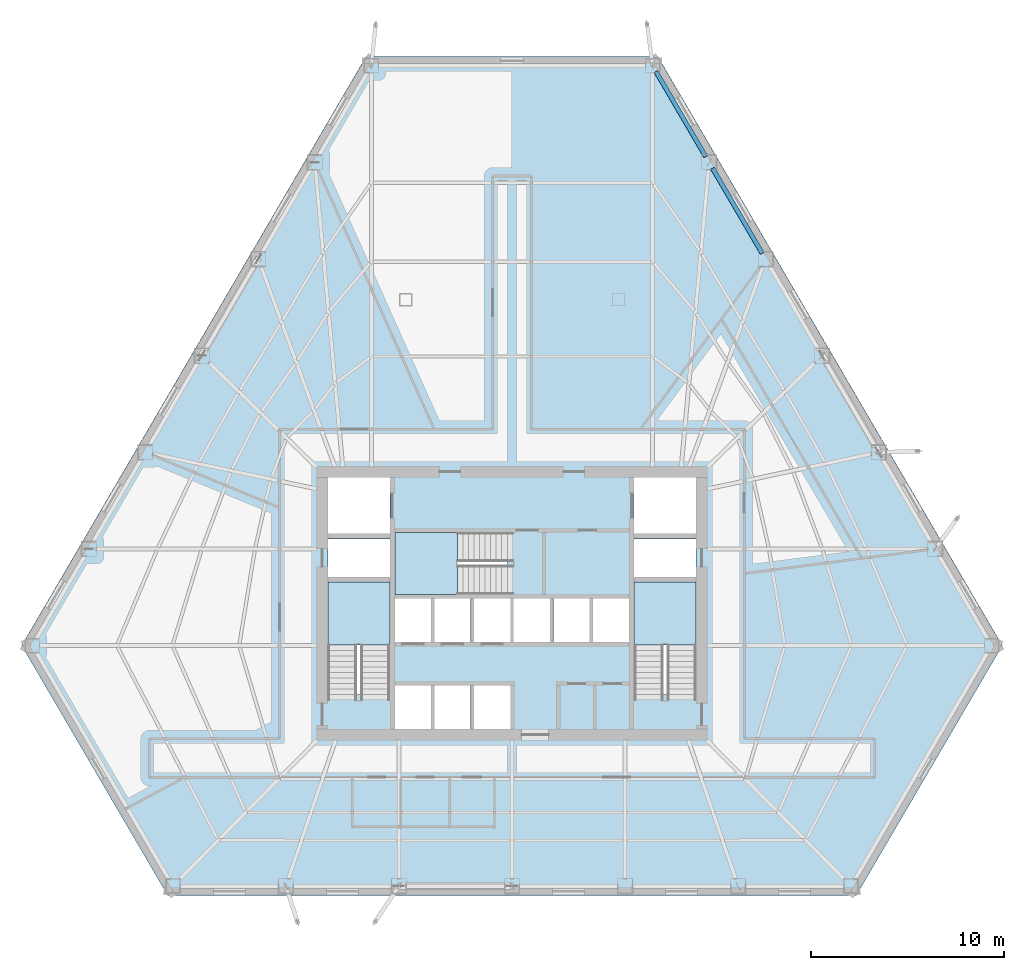
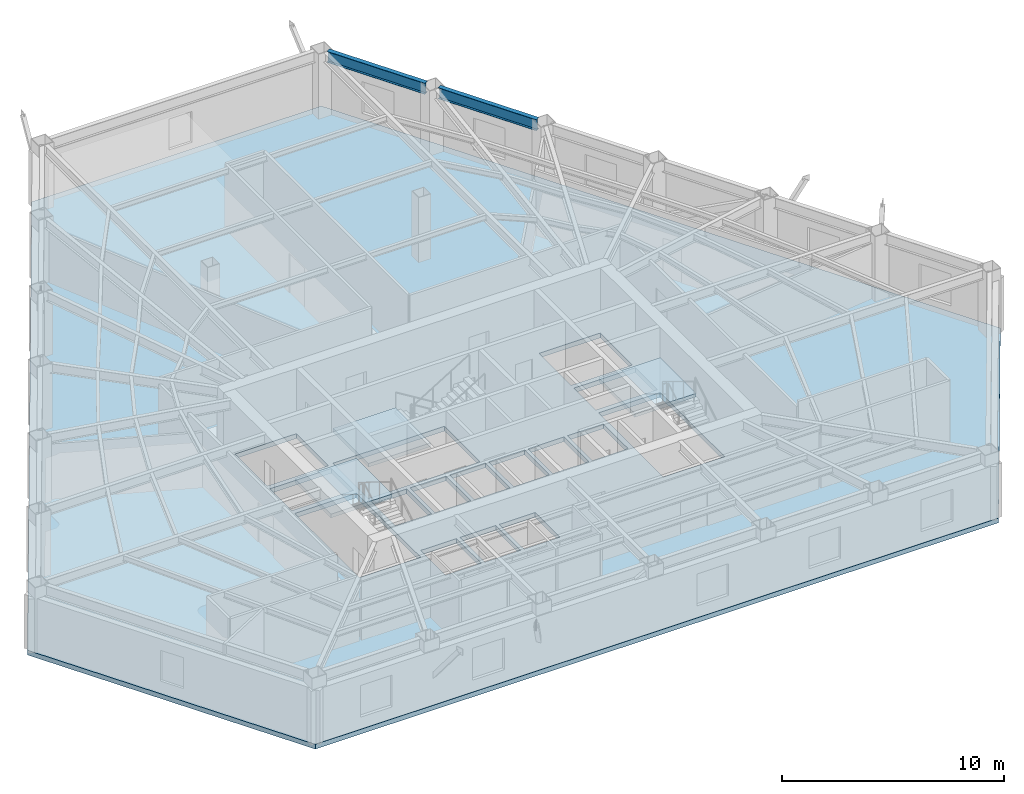
# One storey, part 3 of 13: 4 slabs, 2 beams, 3 elements without a shape of their own.
"""IFC4 building model written with IfcOpenShell, lengths in metres."""

from ifc_helpers import new_model, si_unit, direction, frame, origin, origin_2d, place, context, subcontext, project, spatial, polyline, i_section, outline, extrude, material, layer, layer_set, material_profile, profile_set, type_object, element, aggregate, save


model = new_model("IFC4")

# Units and contexts
model_context = context("Model", 3, precision=1e-05, world=origin(), true_north=direction((0.0, 1.0)))
body_context = subcontext(model_context, "Body", "Model", "MODEL_VIEW")
ifc_project = project(units=[si_unit("LENGTHUNIT", "METRE"), si_unit("AREAUNIT", "SQUARE_METRE"), si_unit("VOLUMEUNIT", "CUBIC_METRE"), si_unit("PLANEANGLEUNIT", "RADIAN"), si_unit("MASSUNIT", "GRAM", prefix="KILO")], contexts=[model_context])

# Site, building, storey
site_placement = place(None, origin())
site = spatial("IfcSite", under=ifc_project, at=site_placement, CompositionType="ELEMENT")
building_placement = place(site_placement, origin())
building = spatial("IfcBuilding", under=site, at=building_placement, Name="Kavelnor Concourse Tower", CompositionType="ELEMENT")
storey_placement = place(building_placement, frame((0.0, 0.0, 59.89990234375)))
storey = spatial("IfcBuildingStorey", under=building, at=storey_placement, Name="L15", CompositionType="ELEMENT", Elevation=59.89990234375)

# Beams
ifc_material_1 = material(Name="Steel Grade 350", Category="steel")
ifc_material_profile = material_profile(ifc_material_1, i_section(OverallWidth=0.22900390625, OverallDepth=0.612060546875, WebThickness=0.011962890625, FlangeThickness=0.01953125, at=origin_2d()), Name="610UB125")
ifc_profile_set = profile_set([ifc_material_profile], Name="Steel Grade 350")
beam_type = type_object("IfcBeamType", Name="BM-SPANDREL-Z1", PredefinedType="SPANDREL", material=ifc_profile_set)
beam_1_placement = place(storey_placement, frame((50.94140625, 34.198486328125, 3.2841796875), z_axis=(-0.504686703063, 0.863302572538, 0.0), x_axis=(-0.863302572538, -0.504686703063, 0.0)))
element("IfcBeam", 1, at=beam_1_placement, inside=storey, type_object=beam_type, Name="L15 Perimeter Tube Spandrel Beam F2-B4", PredefinedType="SPANDREL", context=body_context, shape_type="SweptSolid", body=[
    extrude(i_section(OverallWidth=0.22900390625, OverallDepth=0.612060546875, WebThickness=0.011962890625, FlangeThickness=0.01953125, at=origin_2d()), origin(), (0.0, 0.0, 1.0), 5.09765625),
])
beam_2_placement = place(storey_placement, frame((48.0205078125, 39.195068359375, 3.2841796875), z_axis=(-0.504722395318, 0.863281705855, 0.0), x_axis=(-0.863281705855, -0.504722395318, 0.0)))
element("IfcBeam", 2, at=beam_2_placement, inside=storey, type_object=beam_type, Name="L15 Perimeter Tube Spandrel Beam F2-B5", PredefinedType="SPANDREL", context=body_context, shape_type="SweptSolid", body=[
    extrude(i_section(OverallWidth=0.22900390625, OverallDepth=0.612060546875, WebThickness=0.011962890625, FlangeThickness=0.01953125, at=origin_2d()), origin(), (0.0, 0.0, 1.0), 5.097900390625),
])

# Stair, slab
ifc_material_2 = material(Name="Concrete C40/50", Category="concrete")
stair_type = type_object("IfcStairType", Name="STR-CORE-1500", PredefinedType="HALF_TURN_STAIR", material=ifc_material_2)
stair_1_placement = place(storey_placement, origin())
stair_1 = element("IfcStair", 3, at=stair_1_placement, inside=storey, type_object=stair_type, Name="L15 ST1", PredefinedType="HALF_TURN_STAIR")
ifc_layer_1 = layer(ifc_material_2, 0.199951171875, Name="Concrete C40/50")
ifc_layer_set_1 = layer_set([ifc_layer_1], Name="Concrete C40/50")
slab_type_1 = type_object("IfcSlabType", Name="SLB-LANDING-200", PredefinedType="LANDING", material=ifc_layer_set_1)
slab_1_placement = place(storey_placement, frame((0.0, 0.0, 1.72509765625)))
slab_1 = element("IfcSlab", 4, at=slab_1_placement, type_object=slab_type_1, Name="ST1 landing 1", PredefinedType="LANDING", context=body_context, shape_type="SweptSolid", body=[
    extrude(outline(polyline([(31.679931640625, 13.949951171875), (31.679931640625, 17.199951171875), (28.47998046875, 17.199951171875), (28.47998046875, 13.949951171875), (31.679931640625, 13.949951171875)])), origin(), (0.0, 0.0, 1.0), 0.199951171875),
])
aggregate(stair_1, [slab_1])

stair_2_placement = place(storey_placement, origin())
stair_2 = element("IfcStair", 5, at=stair_2_placement, inside=storey, type_object=stair_type, Name="L15 ST2", PredefinedType="HALF_TURN_STAIR")
slab_2_placement = place(storey_placement, frame((0.0, 0.0, 1.72509765625)))
slab_2 = element("IfcSlab", 6, at=slab_2_placement, type_object=slab_type_1, Name="ST2 landing 1", PredefinedType="LANDING", context=body_context, shape_type="SweptSolid", body=[
    extrude(outline(polyline([(47.52001953125, 13.949951171875), (47.52001953125, 17.199951171875), (44.320068359375, 17.199951171875), (44.320068359375, 13.949951171875), (47.52001953125, 13.949951171875)])), origin(), (0.0, 0.0, 1.0), 0.199951171875),
])
aggregate(stair_2, [slab_2])

stair_3_placement = place(storey_placement, origin())
stair_3 = element("IfcStair", 7, at=stair_3_placement, inside=storey, type_object=stair_type, Name="L15 ST3", PredefinedType="HALF_TURN_STAIR")
slab_3_placement = place(storey_placement, frame((0.0, 0.0, 1.72509765625)))
slab_3 = element("IfcSlab", 8, at=slab_3_placement, type_object=slab_type_1, Name="ST3 landing 1", PredefinedType="LANDING", context=body_context, shape_type="SweptSolid", body=[
    extrude(outline(polyline([(35.18994140625, 19.760009765625), (31.93994140625, 19.760009765625), (31.93994140625, 16.56005859375), (35.18994140625, 16.56005859375), (35.18994140625, 19.760009765625)])), origin(), (0.0, 0.0, 1.0), 0.199951171875),
])
aggregate(stair_3, [slab_3])

# Slab
ifc_layer_2 = layer(ifc_material_2, 0.260009765625, Name="Concrete C40/50")
ifc_layer_set_2 = layer_set([ifc_layer_2], Name="Concrete C40/50")
slab_type_2 = type_object("IfcSlabType", Name="SLB-OFFICE-260", PredefinedType="FLOOR", material=ifc_layer_set_2)
slab_4_placement = place(storey_placement, frame((0.0, 0.0, -0.260009765625)))
element("IfcSlab", 9, at=slab_4_placement, inside=storey, type_object=slab_type_2, Name="L15 Composite Structural Floor Slab", PredefinedType="FLOOR", context=body_context, shape_type="SweptSolid", body=[
    extrude(outline(polyline([(45.548828125, 44.373779296875), (30.451171875, 44.373779296875), (12.643798828125, 13.91455078125), (20.192626953125, 1.00244140625), (55.807373046875, 1.00244140625), (63.356201171875, 13.91455078125), (45.548828125, 44.373779296875)]), holes=[polyline([(28.47998046875, 11.3798828125), (31.679931640625, 11.3798828125), (31.679931640625, 17.199951171875), (28.47998046875, 17.199951171875), (28.47998046875, 11.3798828125)]), polyline([(44.320068359375, 11.3798828125), (47.52001953125, 11.3798828125), (47.52001953125, 17.199951171875), (44.320068359375, 17.199951171875), (44.320068359375, 11.3798828125)]), polyline([(31.93994140625, 16.56005859375), (37.760009765625, 16.56005859375), (37.760009765625, 19.760009765625), (31.93994140625, 19.760009765625), (31.93994140625, 16.56005859375)]), polyline([(28.47998046875, 19.699951171875), (31.679931640625, 19.699951171875), (31.679931640625, 22.60009765625), (28.47998046875, 22.60009765625), (28.47998046875, 19.699951171875)]), polyline([(44.320068359375, 19.699951171875), (47.52001953125, 19.699951171875), (47.52001953125, 22.60009765625), (44.320068359375, 22.60009765625), (44.320068359375, 19.699951171875)]), polyline([(31.93994140625, 14.10009765625), (33.81005859375, 14.10009765625), (33.81005859375, 16.340087890625), (31.93994140625, 16.340087890625), (31.93994140625, 14.10009765625)]), polyline([(33.989990234375, 14.10009765625), (35.860107421875, 14.10009765625), (35.860107421875, 16.340087890625), (33.989990234375, 16.340087890625), (33.989990234375, 14.10009765625)]), polyline([(36.0400390625, 14.10009765625), (37.909912109375, 14.10009765625), (37.909912109375, 16.340087890625), (36.0400390625, 16.340087890625), (36.0400390625, 14.10009765625)]), polyline([(38.090087890625, 14.10009765625), (39.9599609375, 14.10009765625), (39.9599609375, 16.340087890625), (38.090087890625, 16.340087890625), (38.090087890625, 14.10009765625)]), polyline([(40.139892578125, 14.10009765625), (42.010009765625, 14.10009765625), (42.010009765625, 16.340087890625), (40.139892578125, 16.340087890625), (40.139892578125, 14.10009765625)]), polyline([(42.18994140625, 14.10009765625), (44.06005859375, 14.10009765625), (44.06005859375, 16.340087890625), (42.18994140625, 16.340087890625), (42.18994140625, 14.10009765625)]), polyline([(31.93994140625, 9.60009765625), (33.81005859375, 9.60009765625), (33.81005859375, 11.840087890625), (31.93994140625, 11.840087890625), (31.93994140625, 9.60009765625)]), polyline([(33.989990234375, 9.60009765625), (35.860107421875, 9.60009765625), (35.860107421875, 11.840087890625), (33.989990234375, 11.840087890625), (33.989990234375, 9.60009765625)]), polyline([(36.0400390625, 9.60009765625), (37.909912109375, 9.60009765625), (37.909912109375, 11.840087890625), (36.0400390625, 11.840087890625), (36.0400390625, 9.60009765625)]), polyline([(28.47998046875, 17.4599609375), (31.679931640625, 17.4599609375), (31.679931640625, 19.43994140625), (28.47998046875, 19.43994140625), (28.47998046875, 17.4599609375)]), polyline([(44.320068359375, 17.4599609375), (47.52001953125, 17.4599609375), (47.52001953125, 19.43994140625), (44.320068359375, 19.43994140625), (44.320068359375, 17.4599609375)])]), origin(), (0.0, 0.0, 1.0), 0.260009765625),
])

save(model, "model.ifc")
